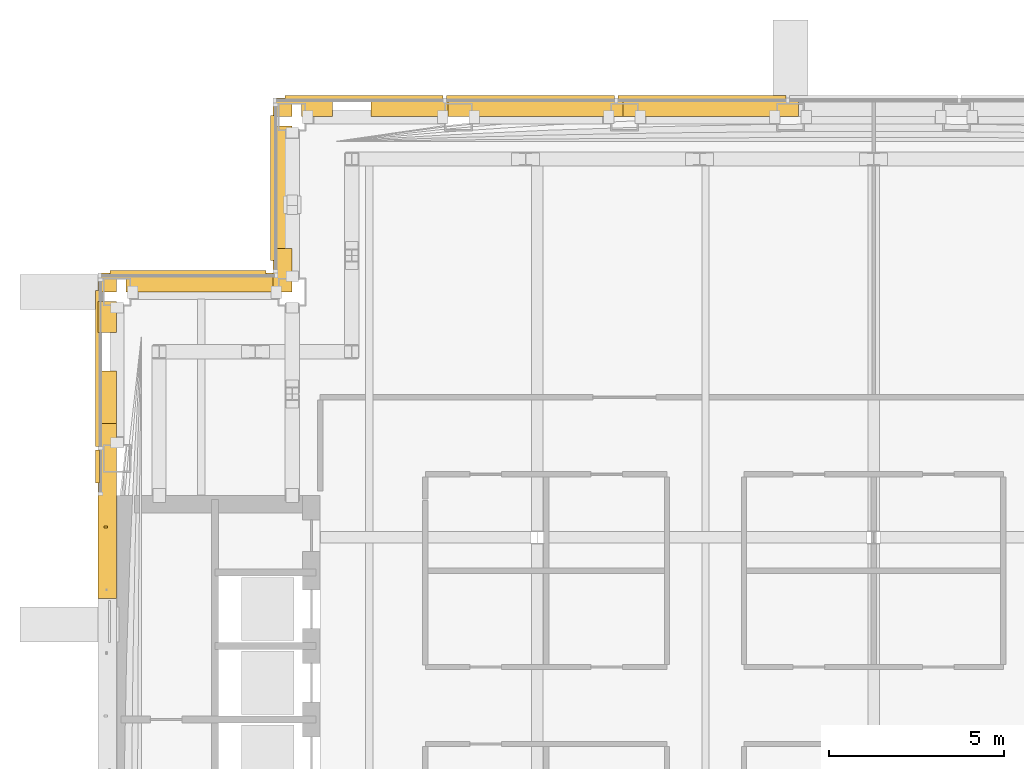
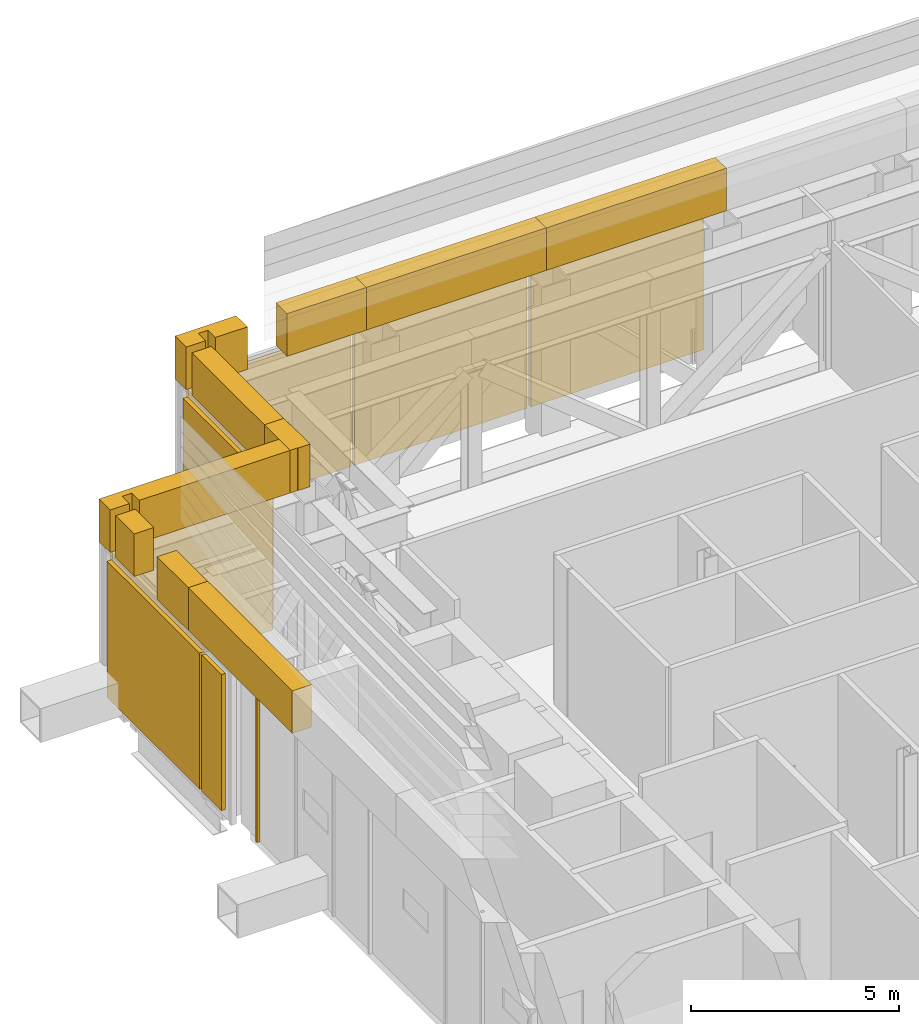
# One storey, part 26 of 29: 18 coverings.
"""IFC4 building model written with IfcOpenShell, lengths in metres."""

from ifc_helpers import new_model, si_unit, direction, frame, origin, origin_2d, place, context, subcontext, project, spatial, polyline, rectangle, outline, extrude, material, type_object, element, save


model = new_model("IFC4")

# Units and contexts
model_context = context("Model", 3, precision=1e-05, world=origin(), true_north=direction((0.0, 1.0)))
body_context = subcontext(model_context, "Body", "Model", "MODEL_VIEW")
ifc_project = project(units=[si_unit("LENGTHUNIT", "METRE"), si_unit("AREAUNIT", "SQUARE_METRE"), si_unit("VOLUMEUNIT", "CUBIC_METRE"), si_unit("PLANEANGLEUNIT", "RADIAN"), si_unit("MASSUNIT", "GRAM", prefix="KILO")], contexts=[model_context])

# Site, building, storey
site_placement = place(None, origin())
site = spatial("IfcSite", under=ifc_project, at=site_placement, CompositionType="ELEMENT")
building_placement = place(site_placement, origin())
building = spatial("IfcBuilding", under=site, at=building_placement, Name="Cobrizo Arcos Hotel Tower", CompositionType="ELEMENT")
storey_placement = place(building_placement, frame((0.0, 0.0, 186.5)))
storey = spatial("IfcBuildingStorey", under=building, at=storey_placement, Name="L48", CompositionType="ELEMENT", Elevation=186.5)

# Coverings
ifc_material_1 = material(Name="Aluminium 6063-T6 anodised pale", Category="aluminium")
covering_type_1 = type_object("IfcCoveringType", Name="LF-1 setback skirt", PredefinedType="CLADDING", material=ifc_material_1)
covering_1_placement = place(storey_placement, frame((0.0, 0.0, 4.5)))
element("IfcCovering", 1, at=covering_1_placement, inside=storey, type_object=covering_type_1, Name="Setback skirt L48", PredefinedType="CLADDING", context=body_context, shape_type="SweptSolid", body=[
    extrude(outline(polyline([(-22.14990234375, 12.85009765625), (-22.14990234375, 7.85009765625), (-21.610107421875, 7.85009765625), (-21.610107421875, 12.85009765625), (-22.14990234375, 12.85009765625)])), origin(), (0.0, 0.0, 1.0), 1.25),
])
covering_2_placement = place(storey_placement, frame((0.0, 0.0, 4.5)))
element("IfcCovering", 2, at=covering_2_placement, inside=storey, type_object=covering_type_1, Name="Setback skirt L48", PredefinedType="CLADDING", context=body_context, shape_type="SweptSolid", body=[
    extrude(outline(polyline([(-21.340087890625, 16.610107421875), (-17.14990234375, 16.610107421875), (-17.14990234375, 17.14990234375), (-22.14990234375, 17.14990234375), (-22.14990234375, 16.610107421875), (-21.610107421875, 16.610107421875), (-21.610107421875, 16.949951171875), (-21.610107421875, 16.950927734375), (-21.60986328125, 16.951904296875), (-21.609619140625, 16.952880859375), (-21.609130859375, 16.953857421875), (-21.60888671875, 16.95458984375), (-21.6083984375, 16.95556640625), (-21.607666015625, 16.956298828125), (-21.607177734375, 16.95703125), (-21.606201171875, 16.957763671875), (-21.605712890625, 16.958251953125), (-21.604736328125, 16.958740234375), (-21.603759765625, 16.959228515625), (-21.602783203125, 16.959716796875), (-21.60205078125, 16.959716796875), (-21.60107421875, 16.9599609375), (-21.60009765625, 16.9599609375), (-21.35009765625, 16.9599609375), (-21.34912109375, 16.9599609375), (-21.347900390625, 16.959716796875), (-21.34716796875, 16.959716796875), (-21.34619140625, 16.959228515625), (-21.34521484375, 16.958740234375), (-21.344482421875, 16.958251953125), (-21.34375, 16.957763671875), (-21.343017578125, 16.95703125), (-21.34228515625, 16.956298828125), (-21.341796875, 16.95556640625), (-21.34130859375, 16.95458984375), (-21.3408203125, 16.953857421875), (-21.34033203125, 16.952880859375), (-21.340087890625, 16.951904296875), (-21.340087890625, 16.950927734375), (-21.340087890625, 16.949951171875), (-21.340087890625, 16.610107421875)])), origin(), (0.0, 0.0, 1.0), 1.25),
])
covering_3_placement = place(storey_placement, frame((0.0, 0.0, 4.5)))
element("IfcCovering", 3, at=covering_3_placement, inside=storey, type_object=covering_type_1, Name="Setback skirt L48", PredefinedType="CLADDING", context=body_context, shape_type="SweptSolid", body=[
    extrude(outline(polyline([(-22.14990234375, 14.35009765625), (-22.14990234375, 12.85009765625), (-21.610107421875, 12.85009765625), (-21.610107421875, 14.35009765625), (-22.14990234375, 14.35009765625)])), origin(), (0.0, 0.0, 1.0), 1.25),
])
covering_4_placement = place(storey_placement, frame((0.0, 0.0, 4.5)))
element("IfcCovering", 4, at=covering_4_placement, inside=storey, type_object=covering_type_1, Name="Setback skirt L48", PredefinedType="CLADDING", context=body_context, shape_type="SweptSolid", body=[
    extrude(outline(polyline([(-21.610107421875, 15.449951171875), (-21.610107421875, 16.340087890625), (-22.14990234375, 16.340087890625), (-22.14990234375, 15.449951171875), (-21.610107421875, 15.449951171875)])), origin(), (0.0, 0.0, 1.0), 1.25),
])
covering_5_placement = place(storey_placement, frame((0.0, 0.0, 4.5)))
element("IfcCovering", 5, at=covering_5_placement, inside=storey, type_object=covering_type_1, Name="Setback skirt L48", PredefinedType="CLADDING", context=body_context, shape_type="SweptSolid", body=[
    extrude(outline(polyline([(-17.14990234375, 17.85009765625), (-17.14990234375, 17.14990234375), (-17.14990234375, 16.610107421875), (-16.949951171875, 16.610107421875), (-16.948974609375, 16.610107421875), (-16.947998046875, 16.60986328125), (-16.947021484375, 16.609619140625), (-16.9462890625, 16.609130859375), (-16.9453125, 16.60888671875), (-16.9443359375, 16.6083984375), (-16.93310546875, 16.60009765625), (-16.60009765625, 16.60009765625), (-16.60009765625, 17.18310546875), (-16.6083984375, 17.1943359375), (-16.60888671875, 17.1953125), (-16.609130859375, 17.1962890625), (-16.609619140625, 17.197021484375), (-16.60986328125, 17.197998046875), (-16.610107421875, 17.198974609375), (-16.610107421875, 17.199951171875), (-16.610107421875, 17.85009765625), (-17.14990234375, 17.85009765625)])), origin(), (0.0, 0.0, 1.0), 1.25),
])
covering_6_placement = place(storey_placement, frame((0.0, 0.0, 4.5)))
element("IfcCovering", 6, at=covering_6_placement, inside=storey, type_object=covering_type_1, Name="Setback skirt L48", PredefinedType="CLADDING", context=body_context, shape_type="SweptSolid", body=[
    extrude(outline(polyline([(-14.35009765625, 21.610107421875), (-12.14990234375, 21.610107421875), (-12.14990234375, 22.14990234375), (-14.35009765625, 22.14990234375), (-14.35009765625, 21.610107421875)])), origin(), (0.0, 0.0, 1.0), 1.25),
])
covering_7_placement = place(storey_placement, frame((0.0, 0.0, 4.5)))
element("IfcCovering", 7, at=covering_7_placement, inside=storey, type_object=covering_type_1, Name="Setback skirt L48", PredefinedType="CLADDING", context=body_context, shape_type="SweptSolid", body=[
    extrude(outline(polyline([(-15.449951171875, 21.610107421875), (-15.449951171875, 22.14990234375), (-17.14990234375, 22.14990234375), (-17.14990234375, 21.610107421875), (-16.610107421875, 21.610107421875), (-16.610107421875, 21.949951171875), (-16.610107421875, 21.950927734375), (-16.60986328125, 21.951904296875), (-16.609619140625, 21.952880859375), (-16.609130859375, 21.953857421875), (-16.60888671875, 21.95458984375), (-16.6083984375, 21.95556640625), (-16.607666015625, 21.956298828125), (-16.607177734375, 21.95703125), (-16.606201171875, 21.957763671875), (-16.605712890625, 21.958251953125), (-16.604736328125, 21.958740234375), (-16.603759765625, 21.959228515625), (-16.602783203125, 21.959716796875), (-16.60205078125, 21.959716796875), (-16.60107421875, 21.9599609375), (-16.60009765625, 21.9599609375), (-16.35009765625, 21.9599609375), (-16.34912109375, 21.9599609375), (-16.347900390625, 21.959716796875), (-16.34716796875, 21.959716796875), (-16.34619140625, 21.959228515625), (-16.34521484375, 21.958740234375), (-16.344482421875, 21.958251953125), (-16.34375, 21.957763671875), (-16.343017578125, 21.95703125), (-16.34228515625, 21.956298828125), (-16.341796875, 21.95556640625), (-16.34130859375, 21.95458984375), (-16.3408203125, 21.953857421875), (-16.34033203125, 21.952880859375), (-16.340087890625, 21.951904296875), (-16.340087890625, 21.950927734375), (-16.340087890625, 21.949951171875), (-16.340087890625, 21.610107421875), (-15.449951171875, 21.610107421875)])), origin(), (0.0, 0.0, 1.0), 1.25),
])
covering_8_placement = place(storey_placement, frame((0.0, 0.0, 4.5)))
element("IfcCovering", 8, at=covering_8_placement, inside=storey, type_object=covering_type_1, Name="Setback skirt L48", PredefinedType="CLADDING", context=body_context, shape_type="SweptSolid", body=[
    extrude(outline(polyline([(-17.14990234375, 21.340087890625), (-17.14990234375, 17.85009765625), (-16.610107421875, 17.85009765625), (-16.610107421875, 21.340087890625), (-17.14990234375, 21.340087890625)])), origin(), (0.0, 0.0, 1.0), 1.25),
])
covering_9_placement = place(storey_placement, frame((0.0, 0.0, 4.5)))
element("IfcCovering", 9, at=covering_9_placement, inside=storey, type_object=covering_type_1, Name="Setback skirt L48", PredefinedType="CLADDING", context=body_context, shape_type="SweptSolid", body=[
    extrude(outline(polyline([(-12.14990234375, 21.610107421875), (-7.14990234375, 21.610107421875), (-7.14990234375, 22.14990234375), (-12.14990234375, 22.14990234375), (-12.14990234375, 21.610107421875)])), origin(), (0.0, 0.0, 1.0), 1.25),
])
covering_10_placement = place(storey_placement, frame((0.0, 0.0, 4.5)))
element("IfcCovering", 10, at=covering_10_placement, inside=storey, type_object=covering_type_1, Name="Setback skirt L48", PredefinedType="CLADDING", context=body_context, shape_type="SweptSolid", body=[
    extrude(outline(polyline([(-7.14990234375, 21.610107421875), (-2.14990234375, 21.610107421875), (-2.14990234375, 22.14990234375), (-7.14990234375, 22.14990234375), (-7.14990234375, 21.610107421875)])), origin(), (0.0, 0.0, 1.0), 1.25),
])
ifc_material_2 = material(Name="Aluminium 6063-T6 anodised bronze", Category="aluminium")
covering_type_2 = type_object("IfcCoveringType", Name="LV-1 plant louvre band", PredefinedType="CLADDING", material=ifc_material_2)
for number, where, z_axis, x_axis, name in (
    (11, (-4.89990234375, 22.155029296875, 0.25), (0.0, 0.0, 1.0), (-1.0, 0.0, 0.0), "louvre band 1685"),
    (12, (-9.800048828125, 22.155029296875, 0.25), (0.0, 0.0, 1.0), (-1.0, 0.0, 0.0), "louvre band 1686"),
):
    element("IfcCovering", number, at=place(storey_placement, frame(where, z_axis=z_axis, x_axis=x_axis)), inside=storey, type_object=covering_type_2, Name=name, PredefinedType="CLADDING", context=body_context, shape_type="SweptSolid", body=[
        extrude(rectangle(XDim=4.800048828125, YDim=0.1201171875, at=origin_2d()), origin(), (0.0, 0.0, 1.0), 4.0),
    ])
covering_11_placement = place(storey_placement, frame((-14.550048828125, 22.155029296875, 0.25), z_axis=(0.0, 0.0, 1.0), x_axis=(-1.0, 0.0, 0.0)))
element("IfcCovering", 13, at=covering_11_placement, inside=storey, type_object=covering_type_2, Name="louvre band 1687", PredefinedType="CLADDING", context=body_context, shape_type="SweptSolid", body=[
    extrude(rectangle(XDim=4.5, YDim=0.1201171875, at=origin_2d()), origin(), (0.0, 0.0, 1.0), 4.0),
])
covering_12_placement = place(storey_placement, frame((-17.155029296875, 19.574951171875, 0.25), z_axis=(0.0, 0.0, 1.0), x_axis=(0.0, -1.0, 0.0)))
element("IfcCovering", 14, at=covering_12_placement, inside=storey, type_object=covering_type_2, Name="louvre band 1688", PredefinedType="CLADDING", context=body_context, shape_type="SweptSolid", body=[
    extrude(rectangle(XDim=4.14990234375, YDim=0.1201171875, at=origin_2d()), origin(), (0.0, 0.0, 1.0), 4.0),
])
covering_13_placement = place(storey_placement, frame((-19.574951171875, 17.155029296875, 0.25), z_axis=(0.0, 0.0, 1.0), x_axis=(-1.0, 0.0, 0.0)))
element("IfcCovering", 15, at=covering_13_placement, inside=storey, type_object=covering_type_2, Name="louvre band 1689", PredefinedType="CLADDING", context=body_context, shape_type="SweptSolid", body=[
    extrude(rectangle(XDim=4.449951171875, YDim=0.1201171875, at=origin_2d()), origin(), (0.0, 0.0, 1.0), 4.0),
])
covering_14_placement = place(storey_placement, frame((-22.155029296875, 14.42138671875, 0.25), z_axis=(0.0, 0.0, 1.0), x_axis=(0.0, -1.0, 0.0)))
element("IfcCovering", 16, at=covering_14_placement, inside=storey, type_object=covering_type_2, Name="louvre band 1690", PredefinedType="CLADDING", context=body_context, shape_type="SweptSolid", body=[
    extrude(rectangle(XDim=4.45703125, YDim=0.1201171875, at=origin_2d()), origin(), (0.0, 0.0, 1.0), 4.0),
])
covering_15_placement = place(storey_placement, frame((-22.155029296875, 11.621337890625, 0.25), z_axis=(0.0, 0.0, 1.0), x_axis=(0.0, -1.0, 0.0)))
element("IfcCovering", 17, at=covering_15_placement, inside=storey, type_object=covering_type_2, Name="louvre band 1691", PredefinedType="CLADDING", context=body_context, shape_type="SweptSolid", body=[
    extrude(rectangle(XDim=0.94287109375, YDim=0.1201171875, at=origin_2d()), origin(), (0.0, 0.0, 1.0), 4.0),
])
covering_type_3 = type_object("IfcCoveringType", Name="RS-1 rainscreen rib 60x90", PredefinedType="CLADDING", material=ifc_material_1)
covering_16_placement = place(storey_placement, frame((-21.919921875, 9.89990234375, 0.0), z_axis=(0.0, 0.0, 1.0), x_axis=(0.0, -1.0, 0.0)))
element("IfcCovering", 18, at=covering_16_placement, inside=storey, type_object=covering_type_3, Name="Rainscreen rib 71", PredefinedType="CLADDING", context=body_context, shape_type="SweptSolid", body=[
    extrude(rectangle(XDim=0.06005859375, YDim=0.090087890625, at=origin_2d()), origin(), (0.0, 0.0, 1.0), 4.5),
])

save(model, "model.ifc")
